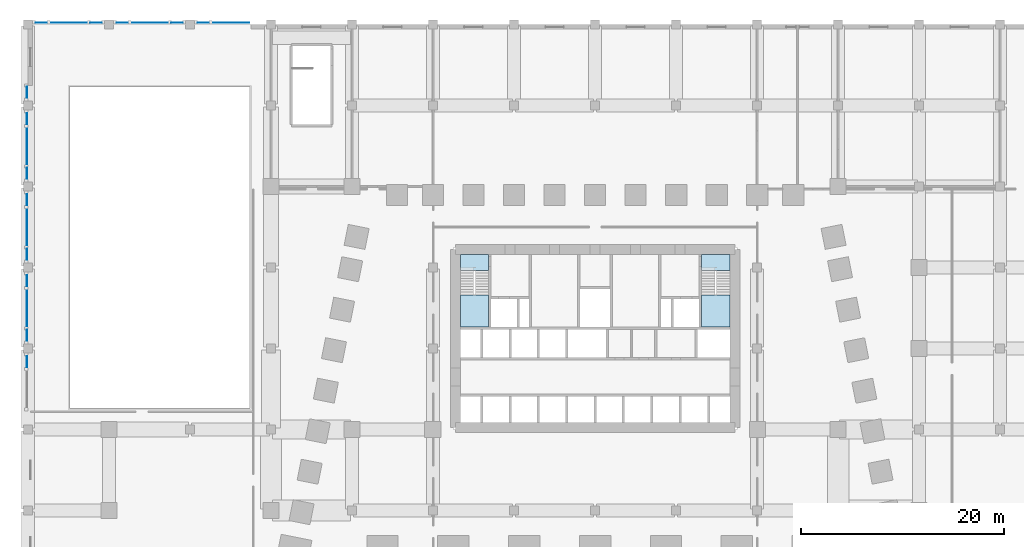
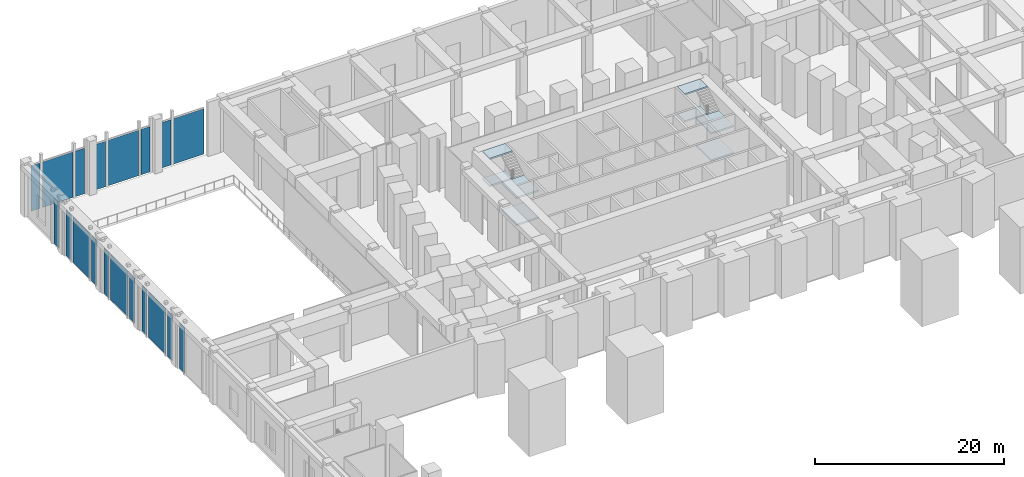
# One storey, part 4 of 18: 19 plates, 8 slabs, 10 elements without a shape of their own.
"""IFC4 building model written with IfcOpenShell, lengths in metres."""

from ifc_helpers import new_model, si_unit, direction, frame, origin, origin_2d, place, context, subcontext, project, spatial, polyline, rectangle, outline, extrude, material, layer, layer_set, type_object, element, aggregate, save


model = new_model("IFC4")

# Units and contexts
model_context = context("Model", 3, precision=1e-05, world=origin(), true_north=direction((0.0, 1.0)))
body_context = subcontext(model_context, "Body", "Model", "MODEL_VIEW")
ifc_project = project(units=[si_unit("LENGTHUNIT", "METRE"), si_unit("AREAUNIT", "SQUARE_METRE"), si_unit("VOLUMEUNIT", "CUBIC_METRE"), si_unit("PLANEANGLEUNIT", "RADIAN"), si_unit("MASSUNIT", "GRAM", prefix="KILO")], contexts=[model_context])

# Site, building, storey
site_placement = place(None, origin())
site = spatial("IfcSite", under=ifc_project, at=site_placement, CompositionType="ELEMENT")
building_placement = place(site_placement, origin())
building = spatial("IfcBuilding", under=site, at=building_placement, Name="Isbrekke Arena Tower", CompositionType="ELEMENT")
storey_placement = place(building_placement, frame((0.0, 0.0, 12.0)))
storey = spatial("IfcBuildingStorey", under=building, at=storey_placement, Name="L02", CompositionType="ELEMENT", Elevation=12.0)

# Curtain wall, plate
ifc_material_1 = material(Name="Glazed aluminium curtain wall", Category="aluminium")
curtain_wall_type = type_object("IfcCurtainWallType", Name="CWP ATRIUM CURTAIN WALL", PredefinedType="USERDEFINED", material=ifc_material_1)
curtain_wall_1_placement = place(storey_placement, origin())
curtain_wall_1 = element("IfcCurtainWall", 1, at=curtain_wall_1_placement, inside=storey, type_object=curtain_wall_type, Name="CWP curtain wall L02-PW", ObjectType="ATRIUM CURTAIN WALL", PredefinedType="USERDEFINED")
ifc_material_2 = material(Name="Triple-glazed clear glass unit", Category="glass")
ifc_layer_1 = layer(ifc_material_2, 0.031982421875)
ifc_layer_set_1 = layer_set([ifc_layer_1], Name="CWP-P VISION PANEL")
plate_type = type_object("IfcPlateType", Name="CWP-P VISION PANEL", PredefinedType="CURTAIN_PANEL", material=ifc_layer_set_1)
plate_1_placement = place(storey_placement, frame((-56.10009765625, 39.300048828125, 0.02001953125), z_axis=(0.0, 0.0, 1.0), x_axis=(0.0, -1.0, 0.0)))
plate_1 = element("IfcPlate", 2, at=plate_1_placement, type_object=plate_type, Name="CWP-P panel 1", PredefinedType="CURTAIN_PANEL", context=body_context, shape_type="SweptSolid", body=[
    extrude(rectangle(XDim=1.10009765625, YDim=0.031982421875, at=origin_2d()), origin(), (0.0, 0.0, 1.0), 5.8798828125),
])
aggregate(curtain_wall_1, [plate_1])

# Curtain wall, plates
curtain_wall_2_placement = place(storey_placement, origin())
curtain_wall_2 = element("IfcCurtainWall", 3, at=curtain_wall_2_placement, inside=storey, type_object=curtain_wall_type, Name="CWP curtain wall L02-PW2", ObjectType="ATRIUM CURTAIN WALL", PredefinedType="USERDEFINED")
plate_2_placement = place(storey_placement, frame((-56.10009765625, 36.699951171875, 0.02001953125), z_axis=(0.0, 0.0, 1.0), x_axis=(0.0, -1.0, 0.0)))
plate_2 = element("IfcPlate", 4, at=plate_2_placement, type_object=plate_type, Name="CWP-P panel 1", PredefinedType="CURTAIN_PANEL", context=body_context, shape_type="SweptSolid", body=[
    extrude(rectangle(XDim=1.10009765625, YDim=0.031982421875, at=origin_2d()), origin(), (0.0, 0.0, 1.0), 5.8798828125),
])
plate_3_placement = place(storey_placement, frame((-56.10009765625, 34.0, 0.02001953125), z_axis=(0.0, 0.0, 1.0), x_axis=(0.0, -1.0, 0.0)))
plate_3 = element("IfcPlate", 5, at=plate_3_placement, type_object=plate_type, Name="CWP-P panel 2", PredefinedType="CURTAIN_PANEL", context=body_context, shape_type="SweptSolid", body=[
    extrude(rectangle(XDim=3.699951171875, YDim=0.031982421875, at=origin_2d()), origin(), (0.0, 0.0, 1.0), 5.8798828125),
])
plate_4_placement = place(storey_placement, frame((-56.10009765625, 31.300048828125, 0.02001953125), z_axis=(0.0, 0.0, 1.0), x_axis=(0.0, -1.0, 0.0)))
plate_4 = element("IfcPlate", 6, at=plate_4_placement, type_object=plate_type, Name="CWP-P panel 3", PredefinedType="CURTAIN_PANEL", context=body_context, shape_type="SweptSolid", body=[
    extrude(rectangle(XDim=1.10009765625, YDim=0.031982421875, at=origin_2d()), origin(), (0.0, 0.0, 1.0), 5.8798828125),
])
aggregate(curtain_wall_2, [plate_2, plate_3, plate_4])

curtain_wall_3_placement = place(storey_placement, origin())
curtain_wall_3 = element("IfcCurtainWall", 7, at=curtain_wall_3_placement, inside=storey, type_object=curtain_wall_type, Name="CWP curtain wall L02-PW3", ObjectType="ATRIUM CURTAIN WALL", PredefinedType="USERDEFINED")
plate_5_placement = place(storey_placement, frame((-56.10009765625, 28.699951171875, 0.02001953125), z_axis=(0.0, 0.0, 1.0), x_axis=(0.0, -1.0, 0.0)))
plate_5 = element("IfcPlate", 8, at=plate_5_placement, type_object=plate_type, Name="CWP-P panel 1", PredefinedType="CURTAIN_PANEL", context=body_context, shape_type="SweptSolid", body=[
    extrude(rectangle(XDim=1.10009765625, YDim=0.031982421875, at=origin_2d()), origin(), (0.0, 0.0, 1.0), 5.8798828125),
])
plate_6_placement = place(storey_placement, frame((-56.10009765625, 26.0, 0.02001953125), z_axis=(0.0, 0.0, 1.0), x_axis=(0.0, -1.0, 0.0)))
plate_6 = element("IfcPlate", 9, at=plate_6_placement, type_object=plate_type, Name="CWP-P panel 2", PredefinedType="CURTAIN_PANEL", context=body_context, shape_type="SweptSolid", body=[
    extrude(rectangle(XDim=3.699951171875, YDim=0.031982421875, at=origin_2d()), origin(), (0.0, 0.0, 1.0), 5.8798828125),
])
plate_7_placement = place(storey_placement, frame((-56.10009765625, 23.300048828125, 0.02001953125), z_axis=(0.0, 0.0, 1.0), x_axis=(0.0, -1.0, 0.0)))
plate_7 = element("IfcPlate", 10, at=plate_7_placement, type_object=plate_type, Name="CWP-P panel 3", PredefinedType="CURTAIN_PANEL", context=body_context, shape_type="SweptSolid", body=[
    extrude(rectangle(XDim=1.10009765625, YDim=0.031982421875, at=origin_2d()), origin(), (0.0, 0.0, 1.0), 5.8798828125),
])
aggregate(curtain_wall_3, [plate_5, plate_6, plate_7])

curtain_wall_4_placement = place(storey_placement, origin())
curtain_wall_4 = element("IfcCurtainWall", 11, at=curtain_wall_4_placement, inside=storey, type_object=curtain_wall_type, Name="CWP curtain wall L02-PW4", ObjectType="ATRIUM CURTAIN WALL", PredefinedType="USERDEFINED")
plate_8_placement = place(storey_placement, frame((-56.10009765625, 20.699951171875, 0.02001953125), z_axis=(0.0, 0.0, 1.0), x_axis=(0.0, -1.0, 0.0)))
plate_8 = element("IfcPlate", 12, at=plate_8_placement, type_object=plate_type, Name="CWP-P panel 1", PredefinedType="CURTAIN_PANEL", context=body_context, shape_type="SweptSolid", body=[
    extrude(rectangle(XDim=1.10009765625, YDim=0.031982421875, at=origin_2d()), origin(), (0.0, 0.0, 1.0), 5.8798828125),
])
plate_9_placement = place(storey_placement, frame((-56.10009765625, 18.0, 0.02001953125), z_axis=(0.0, 0.0, 1.0), x_axis=(0.0, -1.0, 0.0)))
plate_9 = element("IfcPlate", 13, at=plate_9_placement, type_object=plate_type, Name="CWP-P panel 2", PredefinedType="CURTAIN_PANEL", context=body_context, shape_type="SweptSolid", body=[
    extrude(rectangle(XDim=3.699951171875, YDim=0.031982421875, at=origin_2d()), origin(), (0.0, 0.0, 1.0), 5.8798828125),
])
plate_10_placement = place(storey_placement, frame((-56.10009765625, 15.300048828125, 0.02001953125), z_axis=(0.0, 0.0, 1.0), x_axis=(0.0, -1.0, 0.0)))
plate_10 = element("IfcPlate", 14, at=plate_10_placement, type_object=plate_type, Name="CWP-P panel 3", PredefinedType="CURTAIN_PANEL", context=body_context, shape_type="SweptSolid", body=[
    extrude(rectangle(XDim=1.10009765625, YDim=0.031982421875, at=origin_2d()), origin(), (0.0, 0.0, 1.0), 5.8798828125),
])
aggregate(curtain_wall_4, [plate_8, plate_9, plate_10])

# Curtain wall, plate
curtain_wall_5_placement = place(storey_placement, origin())
curtain_wall_5 = element("IfcCurtainWall", 15, at=curtain_wall_5_placement, inside=storey, type_object=curtain_wall_type, Name="CWP curtain wall L02-PW5", ObjectType="ATRIUM CURTAIN WALL", PredefinedType="USERDEFINED")
plate_11_placement = place(storey_placement, frame((-56.10009765625, 12.699951171875, 0.02001953125), z_axis=(0.0, 0.0, 1.0), x_axis=(0.0, -1.0, 0.0)))
plate_11 = element("IfcPlate", 16, at=plate_11_placement, type_object=plate_type, Name="CWP-P panel 1", PredefinedType="CURTAIN_PANEL", context=body_context, shape_type="SweptSolid", body=[
    extrude(rectangle(XDim=1.10009765625, YDim=0.031982421875, at=origin_2d()), origin(), (0.0, 0.0, 1.0), 5.8798828125),
])
aggregate(curtain_wall_5, [plate_11])

# Curtain wall, plates
curtain_wall_6_placement = place(storey_placement, origin())
curtain_wall_6 = element("IfcCurtainWall", 17, at=curtain_wall_6_placement, inside=storey, type_object=curtain_wall_type, Name="CWP curtain wall L02-PN", ObjectType="ATRIUM CURTAIN WALL", PredefinedType="USERDEFINED")
plate_12_placement = place(storey_placement, frame((-36.0, 46.175048828125, 0.02001953125), z_axis=(0.0, 0.0, 1.0), x_axis=(-1.0, 0.0, 0.0)))
plate_12 = element("IfcPlate", 18, at=plate_12_placement, type_object=plate_type, Name="CWP-P panel 1", PredefinedType="CURTAIN_PANEL", context=body_context, shape_type="SweptSolid", body=[
    extrude(rectangle(XDim=3.699951171875, YDim=0.031982421875, at=origin_2d()), origin(), (0.0, 0.0, 1.0), 5.8798828125),
])
plate_13_placement = place(storey_placement, frame((-38.699951171875, 46.175048828125, 0.02001953125), z_axis=(0.0, 0.0, 1.0), x_axis=(-1.0, 0.0, 0.0)))
plate_13 = element("IfcPlate", 19, at=plate_13_placement, type_object=plate_type, Name="CWP-P panel 2", PredefinedType="CURTAIN_PANEL", context=body_context, shape_type="SweptSolid", body=[
    extrude(rectangle(XDim=1.10009765625, YDim=0.031982421875, at=origin_2d()), origin(), (0.0, 0.0, 1.0), 5.8798828125),
])
aggregate(curtain_wall_6, [plate_12, plate_13])

curtain_wall_7_placement = place(storey_placement, origin())
curtain_wall_7 = element("IfcCurtainWall", 20, at=curtain_wall_7_placement, inside=storey, type_object=curtain_wall_type, Name="CWP curtain wall L02-PN2", ObjectType="ATRIUM CURTAIN WALL", PredefinedType="USERDEFINED")
plate_14_placement = place(storey_placement, frame((-41.300048828125, 46.175048828125, 0.02001953125), z_axis=(0.0, 0.0, 1.0), x_axis=(-1.0, 0.0, 0.0)))
plate_14 = element("IfcPlate", 21, at=plate_14_placement, type_object=plate_type, Name="CWP-P panel 1", PredefinedType="CURTAIN_PANEL", context=body_context, shape_type="SweptSolid", body=[
    extrude(rectangle(XDim=1.10009765625, YDim=0.031982421875, at=origin_2d()), origin(), (0.0, 0.0, 1.0), 5.8798828125),
])
plate_15_placement = place(storey_placement, frame((-44.0, 46.175048828125, 0.02001953125), z_axis=(0.0, 0.0, 1.0), x_axis=(-1.0, 0.0, 0.0)))
plate_15 = element("IfcPlate", 22, at=plate_15_placement, type_object=plate_type, Name="CWP-P panel 2", PredefinedType="CURTAIN_PANEL", context=body_context, shape_type="SweptSolid", body=[
    extrude(rectangle(XDim=3.699951171875, YDim=0.031982421875, at=origin_2d()), origin(), (0.0, 0.0, 1.0), 5.8798828125),
])
plate_16_placement = place(storey_placement, frame((-46.699951171875, 46.175048828125, 0.02001953125), z_axis=(0.0, 0.0, 1.0), x_axis=(-1.0, 0.0, 0.0)))
plate_16 = element("IfcPlate", 23, at=plate_16_placement, type_object=plate_type, Name="CWP-P panel 3", PredefinedType="CURTAIN_PANEL", context=body_context, shape_type="SweptSolid", body=[
    extrude(rectangle(XDim=1.10009765625, YDim=0.031982421875, at=origin_2d()), origin(), (0.0, 0.0, 1.0), 5.8798828125),
])
aggregate(curtain_wall_7, [plate_14, plate_15, plate_16])

curtain_wall_8_placement = place(storey_placement, origin())
curtain_wall_8 = element("IfcCurtainWall", 24, at=curtain_wall_8_placement, inside=storey, type_object=curtain_wall_type, Name="CWP curtain wall L02-PN3", ObjectType="ATRIUM CURTAIN WALL", PredefinedType="USERDEFINED")
plate_17_placement = place(storey_placement, frame((-49.300048828125, 46.175048828125, 0.02001953125), z_axis=(0.0, 0.0, 1.0), x_axis=(-1.0, 0.0, 0.0)))
plate_17 = element("IfcPlate", 25, at=plate_17_placement, type_object=plate_type, Name="CWP-P panel 1", PredefinedType="CURTAIN_PANEL", context=body_context, shape_type="SweptSolid", body=[
    extrude(rectangle(XDim=1.10009765625, YDim=0.031982421875, at=origin_2d()), origin(), (0.0, 0.0, 1.0), 5.8798828125),
])
plate_18_placement = place(storey_placement, frame((-52.0, 46.175048828125, 0.02001953125), z_axis=(0.0, 0.0, 1.0), x_axis=(-1.0, 0.0, 0.0)))
plate_18 = element("IfcPlate", 26, at=plate_18_placement, type_object=plate_type, Name="CWP-P panel 2", PredefinedType="CURTAIN_PANEL", context=body_context, shape_type="SweptSolid", body=[
    extrude(rectangle(XDim=3.699951171875, YDim=0.031982421875, at=origin_2d()), origin(), (0.0, 0.0, 1.0), 5.8798828125),
])
plate_19_placement = place(storey_placement, frame((-54.700927734375, 46.175048828125, 0.02001953125), z_axis=(0.0, 0.0, 1.0), x_axis=(-1.0, 0.0, 0.0)))
plate_19 = element("IfcPlate", 27, at=plate_19_placement, type_object=plate_type, Name="CWP-P panel 3", PredefinedType="CURTAIN_PANEL", context=body_context, shape_type="SweptSolid", body=[
    extrude(rectangle(XDim=1.10205078125, YDim=0.031982421875, at=origin_2d()), origin(), (0.0, 0.0, 1.0), 5.8798828125),
])
aggregate(curtain_wall_8, [plate_17, plate_18, plate_19])

# Stair, slabs
ifc_material_3 = material(Name="Concrete B45 (C45/55) precast", Category="concrete")
stair_type = type_object("IfcStairType", Name="ST70 STAIR 1300 WIDE, 42 RISERS 167", PredefinedType="HALF_TURN_STAIR", material=ifc_material_3)
stair_1_placement = place(storey_placement, origin())
stair_1 = element("IfcStair", 28, at=stair_1_placement, inside=storey, type_object=stair_type, Name="ST1 stair L02", PredefinedType="HALF_TURN_STAIR")
ifc_material_4 = material(Name="Concrete B35 (C35/45)", Category="concrete")
ifc_layer_2 = layer(ifc_material_4, 0.199951171875)
ifc_layer_set_2 = layer_set([ifc_layer_2], Name="SL1 STAIR LANDING 200")
slab_type = type_object("IfcSlabType", Name="SL1 STAIR LANDING 200", PredefinedType="LANDING", material=ifc_layer_set_2)
slab_1_placement = place(storey_placement, frame((0.0, 0.0, 1.63330078125)))
slab_1 = element("IfcSlab", 29, at=slab_1_placement, type_object=slab_type, Name="ST1 landing 1", PredefinedType="LANDING", context=body_context, shape_type="SweptSolid", body=[
    extrude(outline(polyline([(-13.300048828125, 16.125), (-10.52490234375, 16.125), (-10.52490234375, 19.300048828125), (-13.300048828125, 19.300048828125), (-13.300048828125, 16.125)])), origin(), (0.0, 0.0, 1.0), 0.199951171875),
])
slab_2_placement = place(storey_placement, frame((0.0, 0.0, 3.300048828125)))
slab_2 = element("IfcSlab", 30, at=slab_2_placement, type_object=slab_type, Name="ST1 landing 2", PredefinedType="LANDING", context=body_context, shape_type="SweptSolid", body=[
    extrude(outline(polyline([(-13.300048828125, 21.72998046875), (-10.52490234375, 21.72998046875), (-10.52490234375, 23.300048828125), (-13.300048828125, 23.300048828125), (-13.300048828125, 21.72998046875)])), origin(), (0.0, 0.0, 1.0), 0.199951171875),
])
slab_3_placement = place(storey_placement, frame((0.0, 0.0, 5.13330078125)))
slab_3 = element("IfcSlab", 31, at=slab_3_placement, type_object=slab_type, Name="ST1 landing 3", PredefinedType="LANDING", context=body_context, shape_type="SweptSolid", body=[
    extrude(outline(polyline([(-13.300048828125, 16.125), (-10.52490234375, 16.125), (-10.52490234375, 19.300048828125), (-13.300048828125, 19.300048828125), (-13.300048828125, 16.125)])), origin(), (0.0, 0.0, 1.0), 0.199951171875),
])
slab_4_placement = place(storey_placement, frame((0.0, 0.0, 6.800048828125)))
slab_4 = element("IfcSlab", 32, at=slab_4_placement, type_object=slab_type, Name="ST1 landing 4", PredefinedType="LANDING", context=body_context, shape_type="SweptSolid", body=[
    extrude(outline(polyline([(-13.300048828125, 21.72998046875), (-10.52490234375, 21.72998046875), (-10.52490234375, 23.300048828125), (-13.300048828125, 23.300048828125), (-13.300048828125, 21.72998046875)])), origin(), (0.0, 0.0, 1.0), 0.199951171875),
])
aggregate(stair_1, [slab_1, slab_2, slab_3, slab_4])

stair_2_placement = place(storey_placement, origin())
stair_2 = element("IfcStair", 33, at=stair_2_placement, inside=storey, type_object=stair_type, Name="ST2 stair L02", PredefinedType="HALF_TURN_STAIR")
slab_5_placement = place(storey_placement, frame((0.0, 0.0, 1.63330078125)))
slab_5 = element("IfcSlab", 34, at=slab_5_placement, type_object=slab_type, Name="ST2 landing 1", PredefinedType="LANDING", context=body_context, shape_type="SweptSolid", body=[
    extrude(outline(polyline([(10.52490234375, 16.125), (13.300048828125, 16.125), (13.300048828125, 19.300048828125), (10.52490234375, 19.300048828125), (10.52490234375, 16.125)])), origin(), (0.0, 0.0, 1.0), 0.199951171875),
])
slab_6_placement = place(storey_placement, frame((0.0, 0.0, 3.300048828125)))
slab_6 = element("IfcSlab", 35, at=slab_6_placement, type_object=slab_type, Name="ST2 landing 2", PredefinedType="LANDING", context=body_context, shape_type="SweptSolid", body=[
    extrude(outline(polyline([(10.52490234375, 21.72998046875), (13.300048828125, 21.72998046875), (13.300048828125, 23.300048828125), (10.52490234375, 23.300048828125), (10.52490234375, 21.72998046875)])), origin(), (0.0, 0.0, 1.0), 0.199951171875),
])
slab_7_placement = place(storey_placement, frame((0.0, 0.0, 5.13330078125)))
slab_7 = element("IfcSlab", 36, at=slab_7_placement, type_object=slab_type, Name="ST2 landing 3", PredefinedType="LANDING", context=body_context, shape_type="SweptSolid", body=[
    extrude(outline(polyline([(10.52490234375, 16.125), (13.300048828125, 16.125), (13.300048828125, 19.300048828125), (10.52490234375, 19.300048828125), (10.52490234375, 16.125)])), origin(), (0.0, 0.0, 1.0), 0.199951171875),
])
slab_8_placement = place(storey_placement, frame((0.0, 0.0, 6.800048828125)))
slab_8 = element("IfcSlab", 37, at=slab_8_placement, type_object=slab_type, Name="ST2 landing 4", PredefinedType="LANDING", context=body_context, shape_type="SweptSolid", body=[
    extrude(outline(polyline([(10.52490234375, 21.72998046875), (13.300048828125, 21.72998046875), (13.300048828125, 23.300048828125), (10.52490234375, 23.300048828125), (10.52490234375, 21.72998046875)])), origin(), (0.0, 0.0, 1.0), 0.199951171875),
])
aggregate(stair_2, [slab_5, slab_6, slab_7, slab_8])

save(model, "model.ifc")
